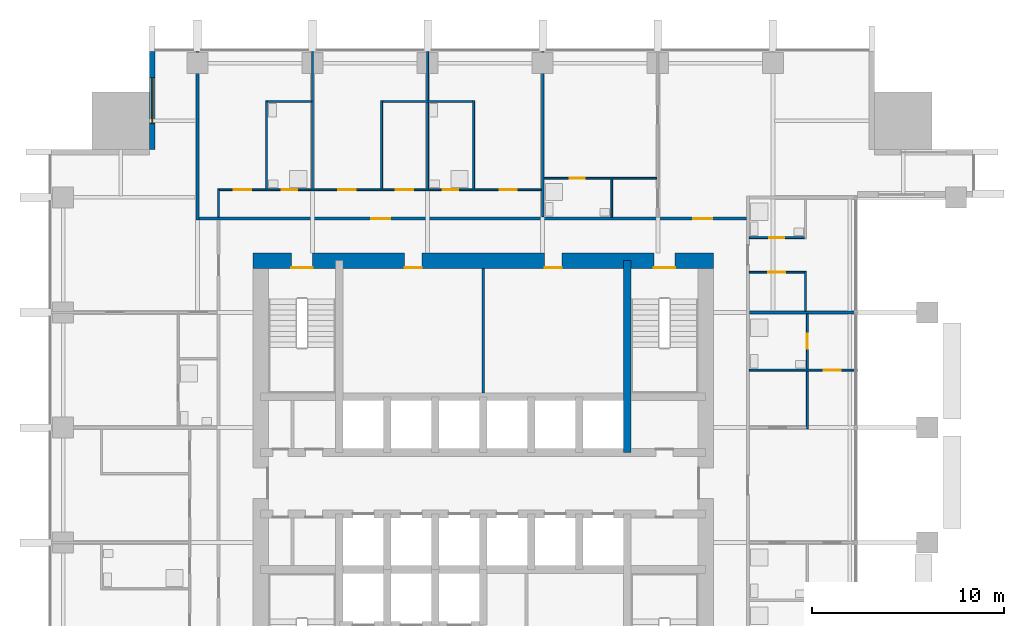
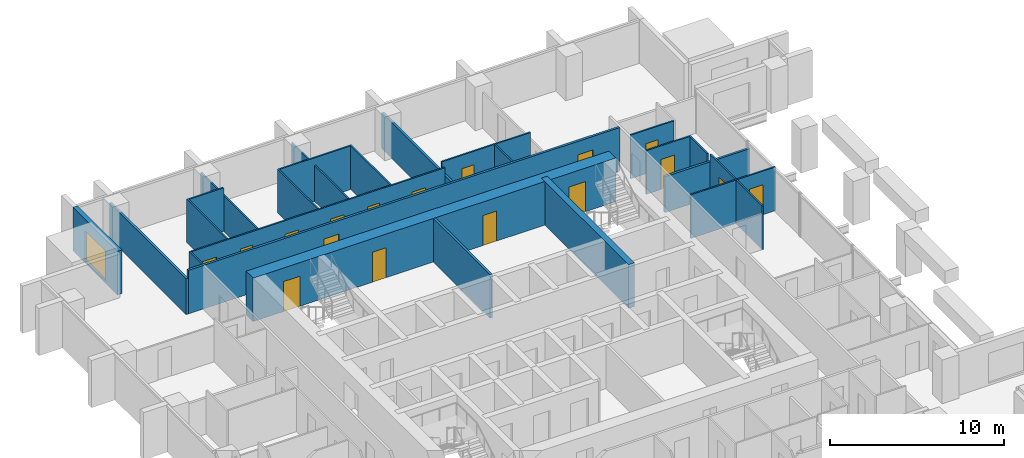
# One storey, part 10 of 13: 24 walls, 17 doors, 1 window, 18 openings.
"""IFC4 building model written with IfcOpenShell, lengths in metres."""

import ifcopenshell
import ifcopenshell.guid

model = None  # the IFC model being written
_history = None  # IfcOwnerHistory: only IFC2X3 demands one
_inside = {}  # id of a spatial element -> (the spatial element, [elements in it])
_under = {}  # id of a project, library or spatial element -> (it, [spatial elements below it])
_declared = {}  # id of a project -> (the project, [libraries it declares])
_typed = {}  # id of a type object -> (the type object, [elements of that type])
_made_of = {}  # id of a material, layer set ... -> (it, [elements and type objects made of it])


def new_model(schema):
    """Start an empty IFC model of exactly this schema.

    Asked for "IFC4X3", IfcOpenShell would pick the latest addendum, in which some entities
    have other attributes; the version numbers below select the first issue.
    IFC2X3 requires an IfcOwnerHistory on every rooted entity: one is made here for all.
    """
    global model, _history
    if schema == "IFC4X3":
        model = ifcopenshell.file(schema_version=(4, 3, 0, 0))
    else:
        model = ifcopenshell.file(schema=schema)
    _inside.clear()
    _under.clear()
    _declared.clear()
    _typed.clear()
    _made_of.clear()
    _history = None
    if model.schema == "IFC2X3":
        org = make("IfcOrganization", Name="unknown")
        user = make(
            "IfcPersonAndOrganization",
            ThePerson=make("IfcPerson", FamilyName="unknown"),
            TheOrganization=org,
        )
        app = make(
            "IfcApplication",
            ApplicationDeveloper=org,
            Version="unknown",
            ApplicationFullName="unknown",
            ApplicationIdentifier="unknown",
        )
        _history = make(
            "IfcOwnerHistory",
            OwningUser=user,
            OwningApplication=app,
            ChangeAction="ADDED",
            CreationDate=0,
        )
    return model


def make(cls, **values):
    """One entity of the class cls with the attributes given. An attribute that is None is left unset."""
    return model.create_entity(
        cls, **{name: value for name, value in values.items() if value is not None}
    )


def rooted(cls, **values):
    """An entity with a GlobalId (a new one), such as an element, a storey or a relation."""
    return make(cls, GlobalId=ifcopenshell.guid.new(), OwnerHistory=_history, **values)


def si_unit(unit_type, name, prefix=None):
    """IfcSIUnit, for example si_unit("LENGTHUNIT", "METRE", prefix="MILLI")."""
    return make("IfcSIUnit", UnitType=unit_type, Prefix=prefix, Name=name)


def assignment(units):
    """IfcUnitAssignment: the units of a project."""
    return None if units is None else make("IfcUnitAssignment", Units=units)


def point(xyz):
    """IfcCartesianPoint."""
    return None if xyz is None else make("IfcCartesianPoint", Coordinates=xyz)


def direction(xyz):
    """IfcDirection."""
    return None if xyz is None else make("IfcDirection", DirectionRatios=xyz)


def frame(location, z_axis=None, x_axis=None):
    """IfcAxis2Placement3D, a coordinate frame: its origin and axes. An axis left out is left unset."""
    return make(
        "IfcAxis2Placement3D",
        Location=point(location),
        Axis=direction(z_axis),
        RefDirection=direction(x_axis),
    )


def frame_2d(location, x_axis=None):
    """IfcAxis2Placement2D, a coordinate frame in the plane: its origin and x axis."""
    return make(
        "IfcAxis2Placement2D", Location=point(location), RefDirection=direction(x_axis)
    )


def origin():
    """The frame at (0, 0, 0) with its axes left unset."""
    return frame((0.0, 0.0, 0.0))


def place(relative_to, where):
    """IfcLocalPlacement: puts the frame where relative to a parent placement (None: the world)."""
    return make(
        "IfcLocalPlacement", PlacementRelTo=relative_to, RelativePlacement=where
    )


def context(
    kind, dimensions, precision=None, world=None, true_north=None, identifier=None
):
    """IfcGeometricRepresentationContext, for example the 3D "Model" context."""
    return make(
        "IfcGeometricRepresentationContext",
        ContextIdentifier=identifier,
        ContextType=kind,
        CoordinateSpaceDimension=dimensions,
        Precision=precision,
        WorldCoordinateSystem=world,
        TrueNorth=true_north,
    )


def subcontext(parent, identifier, kind, view, scale=None):
    """IfcGeometricRepresentationSubContext, for example "Body" below "Model"."""
    return make(
        "IfcGeometricRepresentationSubContext",
        ContextIdentifier=identifier,
        ContextType=kind,
        ParentContext=parent,
        TargetScale=scale,
        TargetView=view,
    )


def project(units=None, contexts=None):
    """IfcProject with its units and contexts."""
    return rooted(
        "IfcProject",
        Name="project",
        RepresentationContexts=contexts,
        UnitsInContext=assignment(units),
    )


def spatial(cls, under=None, at=None, **own):
    """A site, building, storey or space (cls), placed at a placement, below another one or the project."""
    s = rooted(cls, ObjectPlacement=at, **own)
    if under is not None:
        _under.setdefault(under.id(), (under, []))[1].append(s)
    return s


def profile(cls, at=None, kind="AREA", **sizes):
    """A parametric profile (cls). Its sizes go by their IFC names, for example OverallWidth=200.0."""
    return make(cls, ProfileType=kind, Position=at, **sizes)


def rectangle(**sizes):
    """IfcRectangleProfileDef."""
    return profile("IfcRectangleProfileDef", **sizes)


def extrude(swept, where, along, depth):
    """IfcExtrudedAreaSolid: the profile swept, set in the frame where, extruded along a direction by depth."""
    return make(
        "IfcExtrudedAreaSolid",
        SweptArea=swept,
        Position=where,
        ExtrudedDirection=direction(along),
        Depth=depth,
    )


def shape(context_of_items, identifier, shape_type, items):
    """IfcShapeRepresentation: the items that make up one representation, for example the "Body"."""
    return make(
        "IfcShapeRepresentation",
        ContextOfItems=context_of_items,
        RepresentationIdentifier=identifier,
        RepresentationType=shape_type,
        Items=items,
    )


def material(Name=None, Category=None):
    """IfcMaterial."""
    return make("IfcMaterial", Name=Name, Category=Category)


def layer(
    of_material, thickness, ventilated=None, Name=None, Category=None, Priority=None
):
    """IfcMaterialLayer: one layer of a wall or slab, of a material (None: an air gap)."""
    return make(
        "IfcMaterialLayer",
        Material=of_material,
        LayerThickness=thickness,
        IsVentilated=ventilated,
        Name=Name,
        Category=Category,
        Priority=Priority,
    )


def layer_set(layers, Name=None):
    """IfcMaterialLayerSet."""
    return make("IfcMaterialLayerSet", MaterialLayers=layers, LayerSetName=Name)


def made_of(thing, what):
    """Note that an element or type object is made of a material, layer set ...; save() writes the relation."""
    if what is not None:
        _made_of.setdefault(what.id(), (what, []))[1].append(thing)
    return thing


def type_object(cls, material=None, **own):
    """A type object (cls), such as IfcWallType, which elements share."""
    return made_of(rooted(cls, **own), material)


def element(
    cls,
    number,
    at=None,
    inside=None,
    cuts=None,
    type_object=None,
    material=None,
    context=None,
    identifier="Body",
    shape_type=None,
    held_by="IfcProductDefinitionShape",
    body=None,
    shapes=None,
    **own,
):
    """One element of the class cls, such as IfcWall. Its Tag is "e" and its number.

    at: its placement. inside: the storey or other place that contains it. cuts: it is an
    opening in that element (IfcRelVoidsElement). A single representation is given by context,
    identifier, shape_type and body (its items); several are given by shapes. held_by: the class
    of the entity that holds the representations. save() writes the other relations.
    """
    e = rooted(cls, Tag="e%d" % number, ObjectPlacement=at, **own)
    if body is not None:
        shapes = [shape(context, identifier, shape_type, body)]
    if shapes is not None:
        e.Representation = make(held_by, Representations=shapes)
    if inside is not None:
        _inside.setdefault(inside.id(), (inside, []))[1].append(e)
    if cuts is not None:
        rooted(
            "IfcRelVoidsElement", RelatingBuildingElement=cuts, RelatedOpeningElement=e
        )
    if type_object is not None:
        _typed.setdefault(type_object.id(), (type_object, []))[1].append(e)
    return made_of(e, material)


def fill(opening, filler):
    """IfcRelFillsElement: the door or window that sits in an opening."""
    return rooted(
        "IfcRelFillsElement",
        RelatingOpeningElement=opening,
        RelatedBuildingElement=filler,
    )


def aggregate(whole, parts):
    """IfcRelAggregates: a whole, such as a stair, and the parts it consists of."""
    return rooted("IfcRelAggregates", RelatingObject=whole, RelatedObjects=parts)


def save(model, path):
    """Write the relations noted so far, then the file.

    IfcRelAggregates (storeys below a building ...), IfcRelContainedInSpatialStructure (elements
    in a storey), IfcRelDefinesByType, IfcRelAssociatesMaterial and IfcRelDeclares: one each for
    every whole, place, type object, material and project.
    """
    for whole, parts in _under.values():
        aggregate(whole, parts)
    for where, things in _inside.values():
        rooted(
            "IfcRelContainedInSpatialStructure",
            RelatedElements=things,
            RelatingStructure=where,
        )
    for kind, things in _typed.values():
        rooted("IfcRelDefinesByType", RelatedObjects=things, RelatingType=kind)
    for what, things in _made_of.values():
        rooted("IfcRelAssociatesMaterial", RelatedObjects=things, RelatingMaterial=what)
    for by, libraries in _declared.values():
        rooted("IfcRelDeclares", RelatingContext=by, RelatedDefinitions=libraries)
    model.write(path)


model = new_model("IFC4")

# Units and contexts
model_context = context("Model", 3, precision=1e-05, world=origin(), true_north=direction((0.0, 1.0)))
body_context = subcontext(model_context, "Body", "Model", "MODEL_VIEW")
ifc_project = project(units=[si_unit("LENGTHUNIT", "METRE"), si_unit("AREAUNIT", "SQUARE_METRE"), si_unit("VOLUMEUNIT", "CUBIC_METRE"), si_unit("PLANEANGLEUNIT", "RADIAN"), si_unit("MASSUNIT", "GRAM", prefix="KILO")], contexts=[model_context])

# Site, building, storey
site_placement = place(None, origin())
site = spatial("IfcSite", under=ifc_project, at=site_placement, CompositionType="ELEMENT")
building_placement = place(site_placement, origin())
building = spatial("IfcBuilding", under=site, at=building_placement, Name="Amberfall Residences", CompositionType="ELEMENT")
storey_placement = place(building_placement, frame((0.0, 0.0, 111.699951171875)))
storey = spatial("IfcBuildingStorey", under=building, at=storey_placement, Name="L30", CompositionType="ELEMENT", Elevation=111.699951171875)

# Wall, opening, window
ifc_material_1 = material(Name="Pale stone cladding on insulated backing", Category="masonry")
ifc_layer_1 = layer(ifc_material_1, 0.300048828125)
ifc_layer_set_1 = layer_set([ifc_layer_1], Name="Bronze clad wall 300")
wall_type_1 = type_object("IfcWallType", Name="Bronze clad wall 300", PredefinedType="SOLIDWALL", material=ifc_layer_set_1)
wall_1_placement = place(storey_placement, frame((57.25, 68.0, 0.0), z_axis=(0.0, 0.0, 1.0), x_axis=(0.0, -1.0, 0.0)))
wall_1 = element("IfcWall", 1, at=wall_1_placement, inside=storey, type_object=wall_type_1, Name="External wall L30 NW", PredefinedType="SOLIDWALL", context=body_context, shape_type="SweptSolid", body=[
    extrude(rectangle(XDim=5.10009765625, YDim=0.300048828125, at=frame_2d((2.550048828125, 0.0))), origin(), (0.0, 0.0, 1.0), 3.050048828125),
])
opening_1_placement = place(wall_1_placement, frame((1.35009765625, 0.0, 0.14990234375)))
opening_1 = element("IfcOpeningElement", 2, at=opening_1_placement, cuts=wall_1, Name="Opening WN5", PredefinedType="OPENING", context=body_context, shape_type="SweptSolid", body=[
    extrude(rectangle(XDim=2.39990234375, YDim=2.10009765625, at=frame_2d((1.199951171875, 1.050048828125))), frame((0.0, 0.159912109375, 0.0), z_axis=(0.0, -1.0, 0.0), x_axis=(1.0, 0.0, 0.0)), (0.0, 0.0, 1.0), 0.320068359375),
])
ifc_material_2 = material(Name="Bronze aluminium framed glazing", Category="aluminium")
window_type = type_object("IfcWindowType", Name="Glazed opening 2400 x 2100 bronze", PartitioningType="DOUBLE_PANEL_VERTICAL", PredefinedType="WINDOW", material=ifc_material_2)
window_placement = place(opening_1_placement, origin())
window = element("IfcWindow", 3, at=window_placement, inside=storey, type_object=window_type, Name="Window L30 NW", OverallHeight=2.10009765625, OverallWidth=2.39990234375, PartitioningType="DOUBLE_PANEL_VERTICAL", PredefinedType="WINDOW", context=body_context, shape_type="SweptSolid", body=[
    extrude(rectangle(XDim=2.39990234375, YDim=2.10009765625, at=frame_2d((1.199951171875, 1.050048828125))), frame((0.0, 0.030029296875, 0.0), z_axis=(0.0, -1.0, 0.0), x_axis=(1.0, 0.0, 0.0)), (0.0, 0.0, 1.0), 0.06005859375),
])
fill(opening_1, window)

# Wall
ifc_material_3 = material(Name="Concrete C70", Category="concrete")
ifc_layer_2 = layer(ifc_material_3, 0.39990234375)
ifc_layer_set_2 = layer_set([ifc_layer_2], Name="Core wall 400 C70")
wall_type_2 = type_object("IfcWallType", Name="Core wall 400 C70", PredefinedType="SHEAR", material=ifc_layer_set_2)
wall_2_placement = place(storey_placement, frame((82.0, 47.10009765625, 0.0), z_axis=(0.0, 0.0, 1.0), x_axis=(0.0, 1.0, 0.0)))
element("IfcWall", 4, at=wall_2_placement, inside=storey, type_object=wall_type_2, Name="Core wall RW4 L30 V195N", PredefinedType="SHEAR", context=body_context, shape_type="SweptSolid", body=[
    extrude(rectangle(XDim=10.0, YDim=0.39990234375, at=frame_2d((5.0, 0.0))), origin(), (0.0, 0.0, 1.0), 3.050048828125),
])

# Wall, openings, doors
ifc_layer_3 = layer(ifc_material_3, 0.800048828125)
ifc_layer_set_3 = layer_set([ifc_layer_3], Name="Core wall 800 C70")
wall_type_3 = type_object("IfcWallType", Name="Core wall 800 C70", PredefinedType="SHEAR", material=ifc_layer_set_3)
wall_3_placement = place(storey_placement, frame((62.5, 57.10009765625, 0.0), z_axis=(0.0, 0.0, 1.0), x_axis=(1.0, 0.0, 0.0)))
wall_3 = element("IfcWall", 5, at=wall_3_placement, inside=storey, type_object=wall_type_3, Name="Core wall RW3 L30 ON", PredefinedType="SHEAR", context=body_context, shape_type="SweptSolid", body=[
    extrude(rectangle(XDim=24.0, YDim=0.800048828125, at=frame_2d((12.0, 0.0))), origin(), (0.0, 0.0, 1.0), 3.050048828125),
])
opening_2_placement = place(wall_3_placement, frame((20.89990234375, 0.0, 0.0)))
opening_2 = element("IfcOpeningElement", 6, at=opening_2_placement, cuts=wall_3, Name="Opening SD1", PredefinedType="OPENING", context=body_context, shape_type="SweptSolid", body=[
    extrude(rectangle(XDim=1.10009765625, YDim=2.10009765625, at=frame_2d((0.550048828125, 1.050048828125))), frame((0.0, 0.409912109375, 0.0), z_axis=(0.0, -1.0, 0.0), x_axis=(1.0, 0.0, 0.0)), (0.0, 0.0, 1.0), 0.820068359375),
])
opening_3_placement = place(wall_3_placement, frame((2.0, 0.0, 0.0)))
opening_3 = element("IfcOpeningElement", 7, at=opening_3_placement, cuts=wall_3, Name="Opening SD1", PredefinedType="OPENING", context=body_context, shape_type="SweptSolid", body=[
    extrude(rectangle(XDim=1.10009765625, YDim=2.10009765625, at=frame_2d((0.550048828125, 1.050048828125))), frame((0.0, 0.409912109375, 0.0), z_axis=(0.0, -1.0, 0.0), x_axis=(1.0, 0.0, 0.0)), (0.0, 0.0, 1.0), 0.820068359375),
])
opening_4_placement = place(wall_3_placement, frame((7.89990234375, 0.0, 0.0)))
opening_4 = element("IfcOpeningElement", 8, at=opening_4_placement, cuts=wall_3, Name="Opening RD1", PredefinedType="OPENING", context=body_context, shape_type="SweptSolid", body=[
    extrude(rectangle(XDim=0.89990234375, YDim=2.10009765625, at=frame_2d((0.449951171875, 1.050048828125))), frame((0.0, 0.409912109375, 0.0), z_axis=(0.0, -1.0, 0.0), x_axis=(1.0, 0.0, 0.0)), (0.0, 0.0, 1.0), 0.820068359375),
])
opening_5_placement = place(wall_3_placement, frame((15.199951171875, 0.0, 0.0)))
opening_5 = element("IfcOpeningElement", 9, at=opening_5_placement, cuts=wall_3, Name="Opening RD1", PredefinedType="OPENING", context=body_context, shape_type="SweptSolid", body=[
    extrude(rectangle(XDim=0.89990234375, YDim=2.10009765625, at=frame_2d((0.449951171875, 1.050048828125))), frame((0.0, 0.409912109375, 0.0), z_axis=(0.0, -1.0, 0.0), x_axis=(1.0, 0.0, 0.0)), (0.0, 0.0, 1.0), 0.820068359375),
])
ifc_material_4 = material(Name="Steel fire door set", Category="steel")
door_type_1 = type_object("IfcDoorType", Name="Service room door 900 x 2100", OperationType="SINGLE_SWING_LEFT", PredefinedType="DOOR", material=ifc_material_4)
door_1_placement = place(opening_4_placement, origin())
door_1 = element("IfcDoor", 10, at=door_1_placement, inside=storey, type_object=door_type_1, Name="RD1 L30", OperationType="SINGLE_SWING_RIGHT", OverallHeight=2.10009765625, OverallWidth=0.89990234375, PredefinedType="DOOR", context=body_context, shape_type="SweptSolid", body=[
    extrude(rectangle(XDim=0.89990234375, YDim=2.10009765625, at=frame_2d((0.449951171875, 1.050048828125))), frame((0.0, -0.33740234375, 0.0), z_axis=(0.0, -1.0, 0.0), x_axis=(1.0, 0.0, 0.0)), (0.0, 0.0, 1.0), 0.050048828125),
])
fill(opening_4, door_1)
door_2_placement = place(opening_5_placement, origin())
door_2 = element("IfcDoor", 11, at=door_2_placement, inside=storey, type_object=door_type_1, Name="RD1 L30", OperationType="SINGLE_SWING_RIGHT", OverallHeight=2.10009765625, OverallWidth=0.89990234375, PredefinedType="DOOR", context=body_context, shape_type="SweptSolid", body=[
    extrude(rectangle(XDim=0.89990234375, YDim=2.10009765625, at=frame_2d((0.449951171875, 1.050048828125))), frame((0.0, -0.33740234375, 0.0), z_axis=(0.0, -1.0, 0.0), x_axis=(1.0, 0.0, 0.0)), (0.0, 0.0, 1.0), 0.050048828125),
])
fill(opening_5, door_2)
door_type_2 = type_object("IfcDoorType", Name="Stair door 1100 x 2100", OperationType="SINGLE_SWING_LEFT", PredefinedType="DOOR", material=ifc_material_4)
door_3_placement = place(opening_2_placement, origin())
door_3 = element("IfcDoor", 12, at=door_3_placement, inside=storey, type_object=door_type_2, Name="SD1 L30", OperationType="SINGLE_SWING_RIGHT", OverallHeight=2.10009765625, OverallWidth=1.10009765625, PredefinedType="DOOR", context=body_context, shape_type="SweptSolid", body=[
    extrude(rectangle(XDim=1.10009765625, YDim=2.10009765625, at=frame_2d((0.550048828125, 1.050048828125))), frame((0.0, -0.33740234375, 0.0), z_axis=(0.0, -1.0, 0.0), x_axis=(1.0, 0.0, 0.0)), (0.0, 0.0, 1.0), 0.050048828125),
])
fill(opening_2, door_3)
door_4_placement = place(opening_3_placement, origin())
door_4 = element("IfcDoor", 13, at=door_4_placement, inside=storey, type_object=door_type_2, Name="SD1 L30", OperationType="SINGLE_SWING_LEFT", OverallHeight=2.10009765625, OverallWidth=1.10009765625, PredefinedType="DOOR", context=body_context, shape_type="SweptSolid", body=[
    extrude(rectangle(XDim=1.10009765625, YDim=2.10009765625, at=frame_2d((0.550048828125, 1.050048828125))), frame((0.0, -0.33740234375, 0.0), z_axis=(0.0, -1.0, 0.0), x_axis=(1.0, 0.0, 0.0)), (0.0, 0.0, 1.0), 0.050048828125),
])
fill(opening_3, door_4)

# Walls
ifc_material_5 = material(Name="Gypsum board on metal stud")
ifc_layer_4 = layer(ifc_material_5, 0.10009765625)
ifc_layer_set_4 = layer_set([ifc_layer_4], Name="Flat partition 100")
wall_type_4 = type_object("IfcWallType", Name="Flat partition 100", PredefinedType="PARTITIONING", material=ifc_layer_set_4)
wall_4_placement = place(storey_placement, frame((60.699951171875, 59.375, 0.0), z_axis=(0.0, 0.0, 1.0), x_axis=(0.0, 1.0, 0.0)))
element("IfcWall", 14, at=wall_4_placement, inside=storey, type_object=wall_type_4, Name="Partition 006", PredefinedType="PARTITIONING", context=body_context, shape_type="SweptSolid", body=[
    extrude(rectangle(XDim=1.47509765625, YDim=0.10009765625, at=frame_2d((0.737548828125, 0.0))), origin(), (0.0, 0.0, 1.0), 3.050048828125),
])
wall_5_placement = place(storey_placement, frame((63.199951171875, 60.85009765625, 0.0), z_axis=(0.0, 0.0, 1.0), x_axis=(0.0, 1.0, 0.0)))
element("IfcWall", 15, at=wall_5_placement, inside=storey, type_object=wall_type_4, Name="Partition 008", PredefinedType="PARTITIONING", context=body_context, shape_type="SweptSolid", body=[
    extrude(rectangle(XDim=4.599853515625, YDim=0.10009765625, at=frame_2d((2.2998046875, 0.0))), origin(), (0.0, 0.0, 1.0), 3.050048828125),
])
wall_6_placement = place(storey_placement, frame((65.60009765625, 60.85009765625, 0.0), z_axis=(0.0, 0.0, 1.0), x_axis=(0.0, 1.0, 0.0)))
element("IfcWall", 16, at=wall_6_placement, inside=storey, type_object=wall_type_4, Name="Partition 010", PredefinedType="PARTITIONING", context=body_context, shape_type="SweptSolid", body=[
    extrude(rectangle(XDim=7.14990234375, YDim=0.10009765625, at=frame_2d((3.574951171875, 0.0))), origin(), (0.0, 0.0, 1.0), 2.51611328125),
])
wall_7_placement = place(storey_placement, frame((69.199951171875, 60.85009765625, 0.0), z_axis=(0.0, 0.0, 1.0), x_axis=(0.0, 1.0, 0.0)))
element("IfcWall", 17, at=wall_7_placement, inside=storey, type_object=wall_type_4, Name="Partition 011", PredefinedType="PARTITIONING", context=body_context, shape_type="SweptSolid", body=[
    extrude(rectangle(XDim=4.599853515625, YDim=0.10009765625, at=frame_2d((2.2998046875, 0.0))), origin(), (0.0, 0.0, 1.0), 3.050048828125),
])
wall_8_placement = place(storey_placement, frame((71.60009765625, 60.85009765625, 0.0), z_axis=(0.0, 0.0, 1.0), x_axis=(0.0, 1.0, 0.0)))
element("IfcWall", 18, at=wall_8_placement, inside=storey, type_object=wall_type_4, Name="Partition 013", PredefinedType="PARTITIONING", context=body_context, shape_type="SweptSolid", body=[
    extrude(rectangle(XDim=7.14990234375, YDim=0.10009765625, at=frame_2d((3.574951171875, 0.0))), origin(), (0.0, 0.0, 1.0), 2.51611328125),
])
wall_9_placement = place(storey_placement, frame((74.0, 60.85009765625, 0.0), z_axis=(0.0, 0.0, 1.0), x_axis=(0.0, 1.0, 0.0)))
element("IfcWall", 19, at=wall_9_placement, inside=storey, type_object=wall_type_4, Name="Partition 014", PredefinedType="PARTITIONING", context=body_context, shape_type="SweptSolid", body=[
    extrude(rectangle(XDim=4.599853515625, YDim=0.10009765625, at=frame_2d((2.2998046875, 0.0))), origin(), (0.0, 0.0, 1.0), 3.050048828125),
])
wall_10_placement = place(storey_placement, frame((81.199951171875, 59.375, 0.0), z_axis=(0.0, 0.0, 1.0), x_axis=(0.0, 1.0, 0.0)))
element("IfcWall", 20, at=wall_10_placement, inside=storey, type_object=wall_type_4, Name="Partition 018", PredefinedType="PARTITIONING", context=body_context, shape_type="SweptSolid", body=[
    extrude(rectangle(XDim=1.97509765625, YDim=0.10009765625, at=frame_2d((0.987548828125, 0.0))), origin(), (0.0, 0.0, 1.0), 3.050048828125),
])
wall_11_placement = place(storey_placement, frame((91.300048828125, 54.47509765625, 0.0), z_axis=(0.0, 0.0, 1.0), x_axis=(0.0, 1.0, 0.0)))
element("IfcWall", 21, at=wall_11_placement, inside=storey, type_object=wall_type_4, Name="Partition 023", PredefinedType="PARTITIONING", context=body_context, shape_type="SweptSolid", body=[
    extrude(rectangle(XDim=2.074951171875, YDim=0.10009765625, at=frame_2d((1.03759765625, 0.0))), origin(), (0.0, 0.0, 1.0), 3.050048828125),
])

# Wall, opening, door
wall_12_placement = place(storey_placement, frame((91.39990234375, 48.35009765625, 0.0), z_axis=(0.0, 0.0, 1.0), x_axis=(0.0, 1.0, 0.0)))
wall_12 = element("IfcWall", 22, at=wall_12_placement, inside=storey, type_object=wall_type_4, Name="Partition 026", PredefinedType="PARTITIONING", context=body_context, shape_type="SweptSolid", body=[
    extrude(rectangle(XDim=5.974853515625, YDim=0.10009765625, at=frame_2d((2.9873046875, 0.0))), origin(), (0.0, 0.0, 1.0), 3.050048828125),
])
opening_6_placement = place(wall_12_placement, frame((4.14990234375, 0.0, 0.0)))
opening_6 = element("IfcOpeningElement", 23, at=opening_6_placement, cuts=wall_12, Name="Opening D42", PredefinedType="OPENING", context=body_context, shape_type="SweptSolid", body=[
    extrude(rectangle(XDim=0.800048828125, YDim=2.10009765625, at=frame_2d((0.39990234375, 1.050048828125))), frame((0.0, 0.06005859375, 0.0), z_axis=(0.0, -1.0, 0.0), x_axis=(1.0, 0.0, 0.0)), (0.0, 0.0, 1.0), 0.1201171875),
])
ifc_material_6 = material(Name="Timber", Category="wood")
door_type_3 = type_object("IfcDoorType", Name="Bathroom door 800 x 2100", OperationType="SINGLE_SWING_LEFT", PredefinedType="DOOR", material=ifc_material_6)
door_5_placement = place(opening_6_placement, origin())
door_5 = element("IfcDoor", 24, at=door_5_placement, inside=storey, type_object=door_type_3, Name="Door 3005 bath2", OperationType="SINGLE_SWING_LEFT", OverallHeight=2.10009765625, OverallWidth=0.800048828125, PredefinedType="DOOR", context=body_context, shape_type="SweptSolid", body=[
    extrude(rectangle(XDim=0.800048828125, YDim=2.10009765625, at=frame_2d((0.39990234375, 1.050048828125))), frame((0.0, 0.02490234375, 0.0), z_axis=(0.0, -1.0, 0.0), x_axis=(1.0, 0.0, 0.0)), (0.0, 0.0, 1.0), 0.050048828125),
])
fill(opening_6, door_5)

# Walls
wall_13_placement = place(storey_placement, frame((63.25, 65.39990234375, 0.0), z_axis=(0.0, 0.0, 1.0), x_axis=(1.0, 0.0, 0.0)))
element("IfcWall", 25, at=wall_13_placement, inside=storey, type_object=wall_type_4, Name="Partition 027", PredefinedType="PARTITIONING", context=body_context, shape_type="SweptSolid", body=[
    extrude(rectangle(XDim=2.300048828125, YDim=0.10009765625, at=frame_2d((1.14990234375, 0.0))), origin(), (0.0, 0.0, 1.0), 3.050048828125),
])
wall_14_placement = place(storey_placement, frame((69.25, 65.39990234375, 0.0), z_axis=(0.0, 0.0, 1.0), x_axis=(1.0, 0.0, 0.0)))
element("IfcWall", 26, at=wall_14_placement, inside=storey, type_object=wall_type_4, Name="Partition 028", PredefinedType="PARTITIONING", context=body_context, shape_type="SweptSolid", body=[
    extrude(rectangle(XDim=4.699951171875, YDim=0.10009765625, at=frame_2d((2.35009765625, 0.0))), origin(), (0.0, 0.0, 1.0), 3.050048828125),
])

# Wall, opening, door
wall_15_placement = place(storey_placement, frame((83.550048828125, 61.39990234375, 0.0), z_axis=(0.0, 0.0, 1.0), x_axis=(-1.0, 0.0, 0.0)))
wall_15 = element("IfcWall", 27, at=wall_15_placement, inside=storey, type_object=wall_type_4, Name="Partition 029", PredefinedType="PARTITIONING", context=body_context, shape_type="SweptSolid", body=[
    extrude(rectangle(XDim=5.875, YDim=0.10009765625, at=frame_2d((2.9375, 0.0))), origin(), (0.0, 0.0, 1.0), 3.050048828125),
])
opening_7_placement = place(wall_15_placement, frame((3.75, 0.0, 0.0)))
opening_7 = element("IfcOpeningElement", 28, at=opening_7_placement, cuts=wall_15, Name="Opening D42", PredefinedType="OPENING", context=body_context, shape_type="SweptSolid", body=[
    extrude(rectangle(XDim=0.800048828125, YDim=2.10009765625, at=frame_2d((0.39990234375, 1.050048828125))), frame((0.0, 0.06005859375, 0.0), z_axis=(0.0, -1.0, 0.0), x_axis=(1.0, 0.0, 0.0)), (0.0, 0.0, 1.0), 0.1201171875),
])
door_6_placement = place(opening_7_placement, origin())
door_6 = element("IfcDoor", 29, at=door_6_placement, inside=storey, type_object=door_type_3, Name="Door 3008 bath1", OperationType="SINGLE_SWING_LEFT", OverallHeight=2.10009765625, OverallWidth=0.800048828125, PredefinedType="DOOR", context=body_context, shape_type="SweptSolid", body=[
    extrude(rectangle(XDim=0.800048828125, YDim=2.10009765625, at=frame_2d((0.39990234375, 1.050048828125))), frame((0.0, 0.02490234375, 0.0), z_axis=(0.0, -1.0, 0.0), x_axis=(1.0, 0.0, 0.0)), (0.0, 0.0, 1.0), 0.050048828125),
])
fill(opening_7, door_6)

# Wall, openings, doors
wall_16_placement = place(storey_placement, frame((60.75, 60.800048828125, 0.0), z_axis=(0.0, 0.0, 1.0), x_axis=(1.0, 0.0, 0.0)))
wall_16 = element("IfcWall", 30, at=wall_16_placement, inside=storey, type_object=wall_type_4, Name="Partition 030", PredefinedType="PARTITIONING", context=body_context, shape_type="SweptSolid", body=[
    extrude(rectangle(XDim=16.77490234375, YDim=0.10009765625, at=frame_2d((8.387451171875, 0.0))), origin(), (0.0, 0.0, 1.0), 3.050048828125),
])
opening_8_placement = place(wall_16_placement, frame((6.199951171875, 0.0, 0.0)))
opening_8 = element("IfcOpeningElement", 31, at=opening_8_placement, cuts=wall_16, Name="Opening D41", PredefinedType="OPENING", context=body_context, shape_type="SweptSolid", body=[
    extrude(rectangle(XDim=0.89990234375, YDim=2.10009765625, at=frame_2d((0.449951171875, 1.050048828125))), frame((0.0, 0.06005859375, 0.0), z_axis=(0.0, -1.0, 0.0), x_axis=(1.0, 0.0, 0.0)), (0.0, 0.0, 1.0), 0.1201171875),
])
opening_9_placement = place(wall_16_placement, frame((9.199951171875, 0.0, 0.0)))
opening_9 = element("IfcOpeningElement", 32, at=opening_9_placement, cuts=wall_16, Name="Opening D41", PredefinedType="OPENING", context=body_context, shape_type="SweptSolid", body=[
    extrude(rectangle(XDim=0.89990234375, YDim=2.10009765625, at=frame_2d((0.449951171875, 1.050048828125))), frame((0.0, 0.06005859375, 0.0), z_axis=(0.0, -1.0, 0.0), x_axis=(1.0, 0.0, 0.0)), (0.0, 0.0, 1.0), 0.1201171875),
])
opening_10_placement = place(wall_16_placement, frame((0.75, 0.0, 0.0)))
opening_10 = element("IfcOpeningElement", 33, at=opening_10_placement, cuts=wall_16, Name="Opening D41", PredefinedType="OPENING", context=body_context, shape_type="SweptSolid", body=[
    extrude(rectangle(XDim=0.89990234375, YDim=2.10009765625, at=frame_2d((0.449951171875, 1.050048828125))), frame((0.0, 0.06005859375, 0.0), z_axis=(0.0, -1.0, 0.0), x_axis=(1.0, 0.0, 0.0)), (0.0, 0.0, 1.0), 0.1201171875),
])
opening_11_placement = place(wall_16_placement, frame((14.60009765625, 0.0, 0.0)))
opening_11 = element("IfcOpeningElement", 34, at=opening_11_placement, cuts=wall_16, Name="Opening D41", PredefinedType="OPENING", context=body_context, shape_type="SweptSolid", body=[
    extrude(rectangle(XDim=0.89990234375, YDim=2.10009765625, at=frame_2d((0.449951171875, 1.050048828125))), frame((0.0, 0.06005859375, 0.0), z_axis=(0.0, -1.0, 0.0), x_axis=(1.0, 0.0, 0.0)), (0.0, 0.0, 1.0), 0.1201171875),
])
opening_12_placement = place(wall_16_placement, frame((3.25, 0.0, 0.0)))
opening_12 = element("IfcOpeningElement", 35, at=opening_12_placement, cuts=wall_16, Name="Opening D42", PredefinedType="OPENING", context=body_context, shape_type="SweptSolid", body=[
    extrude(rectangle(XDim=0.800048828125, YDim=2.10009765625, at=frame_2d((0.39990234375, 1.050048828125))), frame((0.0, 0.06005859375, 0.0), z_axis=(0.0, -1.0, 0.0), x_axis=(1.0, 0.0, 0.0)), (0.0, 0.0, 1.0), 0.1201171875),
])
opening_13_placement = place(wall_16_placement, frame((11.64990234375, 0.0, 0.0)))
opening_13 = element("IfcOpeningElement", 36, at=opening_13_placement, cuts=wall_16, Name="Opening D42", PredefinedType="OPENING", context=body_context, shape_type="SweptSolid", body=[
    extrude(rectangle(XDim=0.800048828125, YDim=2.10009765625, at=frame_2d((0.39990234375, 1.050048828125))), frame((0.0, 0.06005859375, 0.0), z_axis=(0.0, -1.0, 0.0), x_axis=(1.0, 0.0, 0.0)), (0.0, 0.0, 1.0), 0.1201171875),
])
door_7_placement = place(opening_12_placement, origin())
door_7 = element("IfcDoor", 37, at=door_7_placement, inside=storey, type_object=door_type_3, Name="Door 3007 bath1", OperationType="SINGLE_SWING_LEFT", OverallHeight=2.10009765625, OverallWidth=0.800048828125, PredefinedType="DOOR", context=body_context, shape_type="SweptSolid", body=[
    extrude(rectangle(XDim=0.800048828125, YDim=2.10009765625, at=frame_2d((0.39990234375, 1.050048828125))), frame((0.0, 0.02490234375, 0.0), z_axis=(0.0, -1.0, 0.0), x_axis=(1.0, 0.0, 0.0)), (0.0, 0.0, 1.0), 0.050048828125),
])
fill(opening_12, door_7)
door_8_placement = place(opening_13_placement, origin())
door_8 = element("IfcDoor", 38, at=door_8_placement, inside=storey, type_object=door_type_3, Name="Door 3007 bath2", OperationType="SINGLE_SWING_LEFT", OverallHeight=2.10009765625, OverallWidth=0.800048828125, PredefinedType="DOOR", context=body_context, shape_type="SweptSolid", body=[
    extrude(rectangle(XDim=0.800048828125, YDim=2.10009765625, at=frame_2d((0.39990234375, 1.050048828125))), frame((0.0, 0.02490234375, 0.0), z_axis=(0.0, -1.0, 0.0), x_axis=(1.0, 0.0, 0.0)), (0.0, 0.0, 1.0), 0.050048828125),
])
fill(opening_13, door_8)
door_type_4 = type_object("IfcDoorType", Name="Internal door 900 x 2100", OperationType="SINGLE_SWING_LEFT", PredefinedType="DOOR", material=ifc_material_6)
door_9_placement = place(opening_8_placement, origin())
door_9 = element("IfcDoor", 39, at=door_9_placement, inside=storey, type_object=door_type_4, Name="Door 3007 living", OperationType="SINGLE_SWING_LEFT", OverallHeight=2.10009765625, OverallWidth=0.89990234375, PredefinedType="DOOR", context=body_context, shape_type="SweptSolid", body=[
    extrude(rectangle(XDim=0.89990234375, YDim=2.10009765625, at=frame_2d((0.449951171875, 1.050048828125))), frame((0.0, 0.02490234375, 0.0), z_axis=(0.0, -1.0, 0.0), x_axis=(1.0, 0.0, 0.0)), (0.0, 0.0, 1.0), 0.050048828125),
])
fill(opening_8, door_9)
door_10_placement = place(opening_9_placement, origin())
door_10 = element("IfcDoor", 40, at=door_10_placement, inside=storey, type_object=door_type_4, Name="Door 3007 kitchen", OperationType="SINGLE_SWING_LEFT", OverallHeight=2.10009765625, OverallWidth=0.89990234375, PredefinedType="DOOR", context=body_context, shape_type="SweptSolid", body=[
    extrude(rectangle(XDim=0.89990234375, YDim=2.10009765625, at=frame_2d((0.449951171875, 1.050048828125))), frame((0.0, 0.02490234375, 0.0), z_axis=(0.0, -1.0, 0.0), x_axis=(1.0, 0.0, 0.0)), (0.0, 0.0, 1.0), 0.050048828125),
])
fill(opening_9, door_10)
door_11_placement = place(opening_10_placement, origin())
door_11 = element("IfcDoor", 41, at=door_11_placement, inside=storey, type_object=door_type_4, Name="Door 3007 bedroom1", OperationType="SINGLE_SWING_LEFT", OverallHeight=2.10009765625, OverallWidth=0.89990234375, PredefinedType="DOOR", context=body_context, shape_type="SweptSolid", body=[
    extrude(rectangle(XDim=0.89990234375, YDim=2.10009765625, at=frame_2d((0.449951171875, 1.050048828125))), frame((0.0, 0.02490234375, 0.0), z_axis=(0.0, -1.0, 0.0), x_axis=(1.0, 0.0, 0.0)), (0.0, 0.0, 1.0), 0.050048828125),
])
fill(opening_10, door_11)
door_12_placement = place(opening_11_placement, origin())
door_12 = element("IfcDoor", 42, at=door_12_placement, inside=storey, type_object=door_type_4, Name="Door 3007 bedroom2", OperationType="SINGLE_SWING_LEFT", OverallHeight=2.10009765625, OverallWidth=0.89990234375, PredefinedType="DOOR", context=body_context, shape_type="SweptSolid", body=[
    extrude(rectangle(XDim=0.89990234375, YDim=2.10009765625, at=frame_2d((0.449951171875, 1.050048828125))), frame((0.0, 0.02490234375, 0.0), z_axis=(0.0, -1.0, 0.0), x_axis=(1.0, 0.0, 0.0)), (0.0, 0.0, 1.0), 0.050048828125),
])
fill(opening_11, door_12)

# Wall, opening, door
wall_17_placement = place(storey_placement, frame((88.375, 58.300048828125, 0.0), z_axis=(0.0, 0.0, 1.0), x_axis=(1.0, 0.0, 0.0)))
wall_17 = element("IfcWall", 43, at=wall_17_placement, inside=storey, type_object=wall_type_4, Name="Partition 031", PredefinedType="PARTITIONING", context=body_context, shape_type="SweptSolid", body=[
    extrude(rectangle(XDim=2.875, YDim=0.10009765625, at=frame_2d((1.4375, 0.0))), origin(), (0.0, 0.0, 1.0), 3.050048828125),
])
opening_14_placement = place(wall_17_placement, frame((1.02490234375, 0.0, 0.0)))
opening_14 = element("IfcOpeningElement", 44, at=opening_14_placement, cuts=wall_17, Name="Opening D42", PredefinedType="OPENING", context=body_context, shape_type="SweptSolid", body=[
    extrude(rectangle(XDim=0.800048828125, YDim=2.10009765625, at=frame_2d((0.39990234375, 1.050048828125))), frame((0.0, 0.06005859375, 0.0), z_axis=(0.0, -1.0, 0.0), x_axis=(1.0, 0.0, 0.0)), (0.0, 0.0, 1.0), 0.1201171875),
])
door_13_placement = place(opening_14_placement, origin())
door_13 = element("IfcDoor", 45, at=door_13_placement, inside=storey, type_object=door_type_3, Name="Door 3006 bath1", OperationType="SINGLE_SWING_LEFT", OverallHeight=2.10009765625, OverallWidth=0.800048828125, PredefinedType="DOOR", context=body_context, shape_type="SweptSolid", body=[
    extrude(rectangle(XDim=0.800048828125, YDim=2.10009765625, at=frame_2d((0.39990234375, 1.050048828125))), frame((0.0, 0.02490234375, 0.0), z_axis=(0.0, -1.0, 0.0), x_axis=(1.0, 0.0, 0.0)), (0.0, 0.0, 1.0), 0.050048828125),
])
fill(opening_14, door_13)

wall_18_placement = place(storey_placement, frame((91.25, 56.5, 0.0), z_axis=(0.0, 0.0, 1.0), x_axis=(-1.0, 0.0, 0.0)))
wall_18 = element("IfcWall", 46, at=wall_18_placement, inside=storey, type_object=wall_type_4, Name="Partition 032", PredefinedType="PARTITIONING", context=body_context, shape_type="SweptSolid", body=[
    extrude(rectangle(XDim=2.875, YDim=0.10009765625, at=frame_2d((1.4375, 0.0))), origin(), (0.0, 0.0, 1.0), 3.050048828125),
])
opening_15_placement = place(wall_18_placement, frame((1.0, 0.0, 0.0)))
opening_15 = element("IfcOpeningElement", 47, at=opening_15_placement, cuts=wall_18, Name="Opening D41", PredefinedType="OPENING", context=body_context, shape_type="SweptSolid", body=[
    extrude(rectangle(XDim=0.89990234375, YDim=2.10009765625, at=frame_2d((0.449951171875, 1.050048828125))), frame((0.0, 0.06005859375, 0.0), z_axis=(0.0, -1.0, 0.0), x_axis=(1.0, 0.0, 0.0)), (0.0, 0.0, 1.0), 0.1201171875),
])
door_14_placement = place(opening_15_placement, origin())
door_14 = element("IfcDoor", 48, at=door_14_placement, inside=storey, type_object=door_type_4, Name="Door 3006 kitchen", OperationType="SINGLE_SWING_LEFT", OverallHeight=2.10009765625, OverallWidth=0.89990234375, PredefinedType="DOOR", context=body_context, shape_type="SweptSolid", body=[
    extrude(rectangle(XDim=0.89990234375, YDim=2.10009765625, at=frame_2d((0.449951171875, 1.050048828125))), frame((0.0, 0.02490234375, 0.0), z_axis=(0.0, -1.0, 0.0), x_axis=(1.0, 0.0, 0.0)), (0.0, 0.0, 1.0), 0.050048828125),
])
fill(opening_15, door_14)

wall_19_placement = place(storey_placement, frame((88.375, 51.39990234375, 0.0), z_axis=(0.0, 0.0, 1.0), x_axis=(1.0, 0.0, 0.0)))
wall_19 = element("IfcWall", 49, at=wall_19_placement, inside=storey, type_object=wall_type_4, Name="Partition 035", PredefinedType="PARTITIONING", context=body_context, shape_type="SweptSolid", body=[
    extrude(rectangle(XDim=5.625, YDim=0.10009765625, at=frame_2d((2.8125, 0.0))), origin(), (0.0, 0.0, 1.0), 3.050048828125),
])
opening_16_placement = place(wall_19_placement, frame((3.875, 0.0, 0.0)))
opening_16 = element("IfcOpeningElement", 50, at=opening_16_placement, cuts=wall_19, Name="Opening D41", PredefinedType="OPENING", context=body_context, shape_type="SweptSolid", body=[
    extrude(rectangle(XDim=0.89990234375, YDim=2.10009765625, at=frame_2d((0.449951171875, 1.050048828125))), frame((0.0, 0.06005859375, 0.0), z_axis=(0.0, -1.0, 0.0), x_axis=(1.0, 0.0, 0.0)), (0.0, 0.0, 1.0), 0.1201171875),
])
door_15_placement = place(opening_16_placement, origin())
door_15 = element("IfcDoor", 51, at=door_15_placement, inside=storey, type_object=door_type_4, Name="Door 3005 bedroom2", OperationType="SINGLE_SWING_LEFT", OverallHeight=2.10009765625, OverallWidth=0.89990234375, PredefinedType="DOOR", context=body_context, shape_type="SweptSolid", body=[
    extrude(rectangle(XDim=0.89990234375, YDim=2.10009765625, at=frame_2d((0.449951171875, 1.050048828125))), frame((0.0, 0.02490234375, 0.0), z_axis=(0.0, -1.0, 0.0), x_axis=(1.0, 0.0, 0.0)), (0.0, 0.0, 1.0), 0.050048828125),
])
fill(opening_16, door_15)

# Walls
ifc_material_7 = material(Name="Blockwork, plastered", Category="masonry")
ifc_layer_5 = layer(ifc_material_7, 0.14990234375)
ifc_layer_set_5 = layer_set([ifc_layer_5], Name="Flat separating wall 150")
wall_type_5 = type_object("IfcWallType", Name="Flat separating wall 150", PredefinedType="PARTITIONING", material=ifc_layer_set_5)
wall_20_placement = place(storey_placement, frame((59.60009765625, 59.22509765625, 0.0), z_axis=(0.0, 0.0, 1.0), x_axis=(0.0, 1.0, 0.0)))
element("IfcWall", 52, at=wall_20_placement, inside=storey, type_object=wall_type_5, Name="Separating wall 051", PredefinedType="PARTITIONING", context=body_context, shape_type="SweptSolid", body=[
    extrude(rectangle(XDim=8.77490234375, YDim=0.14990234375, at=frame_2d((4.387451171875, 0.0))), origin(), (0.0, 0.0, 1.0), 2.510009765625),
])
wall_21_placement = place(storey_placement, frame((77.60009765625, 59.375, 0.0), z_axis=(0.0, 0.0, 1.0), x_axis=(0.0, 1.0, 0.0)))
element("IfcWall", 53, at=wall_21_placement, inside=storey, type_object=wall_type_5, Name="Separating wall 054", PredefinedType="PARTITIONING", context=body_context, shape_type="SweptSolid", body=[
    extrude(rectangle(XDim=8.625, YDim=0.14990234375, at=frame_2d((4.3125, 0.0))), origin(), (0.0, 0.0, 1.0), 2.51611328125),
])

# Wall, openings, doors
wall_22_placement = place(storey_placement, frame((59.675048828125, 59.300048828125, 0.0), z_axis=(0.0, 0.0, 1.0), x_axis=(1.0, 0.0, 0.0)))
wall_22 = element("IfcWall", 54, at=wall_22_placement, inside=storey, type_object=wall_type_5, Name="Separating wall 059", PredefinedType="PARTITIONING", context=body_context, shape_type="SweptSolid", body=[
    extrude(rectangle(XDim=28.550048828125, YDim=0.14990234375, at=frame_2d((14.27490234375, 0.0))), origin(), (0.0, 0.0, 1.0), 3.050048828125),
])
opening_17_placement = place(wall_22_placement, frame((8.97509765625, 0.0, 0.0)))
opening_17 = element("IfcOpeningElement", 55, at=opening_17_placement, cuts=wall_22, Name="Opening D40", PredefinedType="OPENING", context=body_context, shape_type="SweptSolid", body=[
    extrude(rectangle(XDim=1.0, YDim=2.10009765625, at=frame_2d((0.5, 1.050048828125))), frame((0.0, 0.0849609375, 0.0), z_axis=(0.0, -1.0, 0.0), x_axis=(1.0, 0.0, 0.0)), (0.0, 0.0, 1.0), 0.169921875),
])
opening_18_placement = place(wall_22_placement, frame((25.77490234375, 0.0, 0.0)))
opening_18 = element("IfcOpeningElement", 56, at=opening_18_placement, cuts=wall_22, Name="Opening D40", PredefinedType="OPENING", context=body_context, shape_type="SweptSolid", body=[
    extrude(rectangle(XDim=1.0, YDim=2.10009765625, at=frame_2d((0.5, 1.050048828125))), frame((0.0, 0.0849609375, 0.0), z_axis=(0.0, -1.0, 0.0), x_axis=(1.0, 0.0, 0.0)), (0.0, 0.0, 1.0), 0.169921875),
])
ifc_material_8 = material(Name="Timber, fire-rated", Category="wood")
door_type_5 = type_object("IfcDoorType", Name="Flat entrance door FD60 1000 x 2100", OperationType="SINGLE_SWING_LEFT", PredefinedType="DOOR", material=ifc_material_8)
door_16_placement = place(opening_17_placement, origin())
door_16 = element("IfcDoor", 57, at=door_16_placement, inside=storey, type_object=door_type_5, Name="Door 3007 entrance", OperationType="SINGLE_SWING_LEFT", OverallHeight=2.10009765625, OverallWidth=1.0, PredefinedType="DOOR", context=body_context, shape_type="SweptSolid", body=[
    extrude(rectangle(XDim=1.0, YDim=2.10009765625, at=frame_2d((0.5, 1.050048828125))), frame((0.0, 0.02490234375, 0.0), z_axis=(0.0, -1.0, 0.0), x_axis=(1.0, 0.0, 0.0)), (0.0, 0.0, 1.0), 0.050048828125),
])
fill(opening_17, door_16)
door_17_placement = place(opening_18_placement, origin())
door_17 = element("IfcDoor", 58, at=door_17_placement, inside=storey, type_object=door_type_5, Name="Door 3008 entrance", OperationType="SINGLE_SWING_LEFT", OverallHeight=2.10009765625, OverallWidth=1.0, PredefinedType="DOOR", context=body_context, shape_type="SweptSolid", body=[
    extrude(rectangle(XDim=1.0, YDim=2.10009765625, at=frame_2d((0.5, 1.050048828125))), frame((0.0, 0.02490234375, 0.0), z_axis=(0.0, -1.0, 0.0), x_axis=(1.0, 0.0, 0.0)), (0.0, 0.0, 1.0), 0.050048828125),
])
fill(opening_18, door_17)

# Walls
wall_23_placement = place(storey_placement, frame((88.375, 54.39990234375, 0.0), z_axis=(0.0, 0.0, 1.0), x_axis=(1.0, 0.0, 0.0)))
element("IfcWall", 59, at=wall_23_placement, inside=storey, type_object=wall_type_5, Name="Separating wall 060", PredefinedType="PARTITIONING", context=body_context, shape_type="SweptSolid", body=[
    extrude(rectangle(XDim=5.625, YDim=0.14990234375, at=frame_2d((2.8125, 0.0))), origin(), (0.0, 0.0, 1.0), 2.51611328125),
])
ifc_material_9 = material(Name="Concrete blockwork", Category="masonry")
ifc_layer_6 = layer(ifc_material_9, 0.14990234375)
ifc_layer_set_6 = layer_set([ifc_layer_6], Name="Riser wall 150")
wall_type_6 = type_object("IfcWallType", Name="Riser wall 150", PredefinedType="PLUMBINGWALL", material=ifc_layer_set_6)
wall_24_placement = place(storey_placement, frame((74.5, 50.199951171875, 0.0), z_axis=(0.0, 0.0, 1.0), x_axis=(0.0, 1.0, 0.0)))
element("IfcWall", 60, at=wall_24_placement, inside=storey, type_object=wall_type_6, Name="L30 core wall N0", PredefinedType="PLUMBINGWALL", context=body_context, shape_type="SweptSolid", body=[
    extrude(rectangle(XDim=6.5, YDim=0.14990234375, at=frame_2d((3.25, 0.0))), origin(), (0.0, 0.0, 1.0), 3.050048828125),
])

save(model, "model.ifc")
